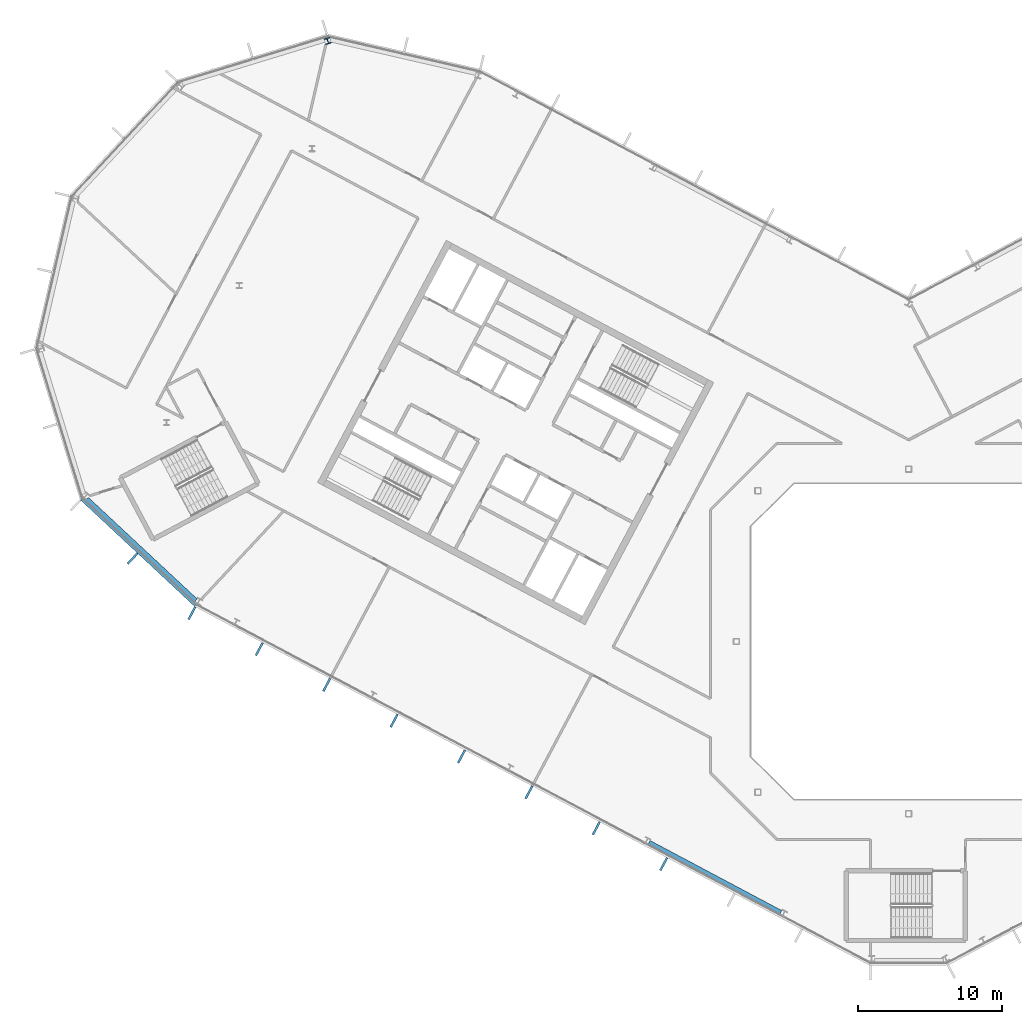
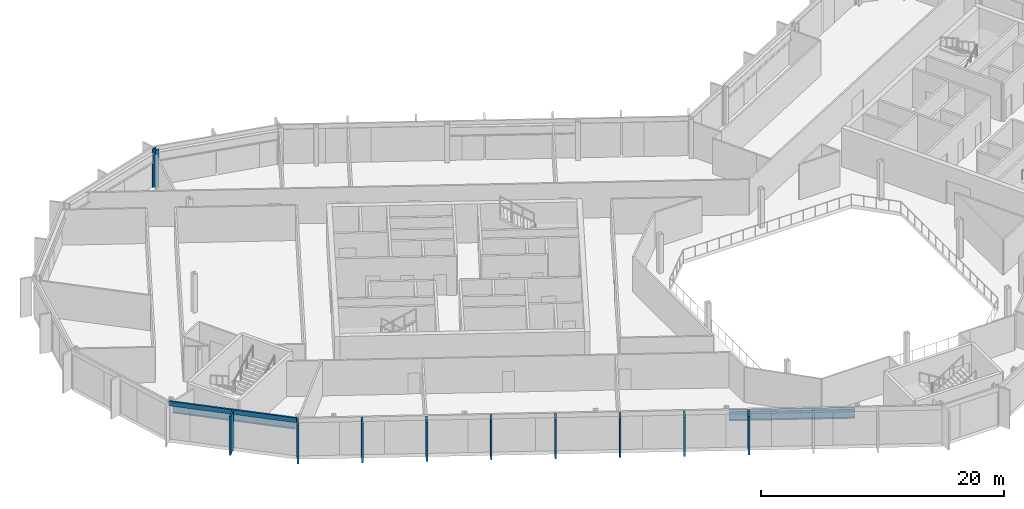
# One storey, part 8 of 26: 10 members, 2 beams, 1 column, 2 elements without a shape of their own.
"""IFC4 building model written with IfcOpenShell, lengths in metres."""

from ifc_helpers import new_model, si_unit, direction, frame, origin, origin_2d, place, context, subcontext, project, spatial, rectangle, i_section, extrude, material, layer, layer_set, material_profile, profile_set, type_object, element, aggregate, save


model = new_model("IFC4")

# Units and contexts
model_context = context("Model", 3, precision=1e-05, world=origin(), true_north=direction((0.0, 1.0)))
body_context = subcontext(model_context, "Body", "Model", "MODEL_VIEW")
ifc_project = project(units=[si_unit("LENGTHUNIT", "METRE"), si_unit("AREAUNIT", "SQUARE_METRE"), si_unit("VOLUMEUNIT", "CUBIC_METRE"), si_unit("PLANEANGLEUNIT", "RADIAN"), si_unit("MASSUNIT", "GRAM", prefix="KILO")], contexts=[model_context])

# Site, building, storey
site_placement = place(None, origin())
site = spatial("IfcSite", under=ifc_project, at=site_placement, CompositionType="ELEMENT")
building_placement = place(site_placement, origin())
building = spatial("IfcBuilding", under=site, at=building_placement, Name="Cormorant Relay Tower", CompositionType="ELEMENT")
storey_placement = place(building_placement, frame((0.0, 0.0, 304.800048828125)))
storey = spatial("IfcBuildingStorey", under=building, at=storey_placement, Name="L69", CompositionType="ELEMENT", Elevation=304.800048828125)

# Column
ifc_material_1 = material(Name="Steel ASTM A992 (Fy 345 MPa)", Category="steel")
ifc_material_profile_1 = material_profile(ifc_material_1, i_section(OverallWidth=0.40380859375, OverallDepth=0.406494140625, WebThickness=0.027099609375, FlangeThickness=0.043701171875, FilletRadius=0.01513671875, at=origin_2d()), Name="W360x347")
ifc_profile_set_1 = profile_set([ifc_material_profile_1], Name="Steel ASTM A992 (Fy 345 MPa)")
column_type = type_object("IfcColumnType", Name="Column W360x347", PredefinedType="COLUMN", material=ifc_profile_set_1)
column_placement = place(storey_placement, frame((-40.455078125, 41.823974609375, 0.0), z_axis=(0.0, 0.0, 1.0), x_axis=(-0.956304755963, -0.292371704723, 0.0)))
element("IfcColumn", 1, at=column_placement, inside=storey, type_object=column_type, Name="Column L69-043", PredefinedType="COLUMN", context=body_context, shape_type="SweptSolid", body=[
    extrude(i_section(OverallWidth=0.40380859375, OverallDepth=0.406494140625, WebThickness=0.027099609375, FlangeThickness=0.043701171875, FilletRadius=0.01513671875, at=origin_2d()), origin(), (0.0, 0.0, 1.0), 3.89990234375),
])

# Curtain wall, member
ifc_material_2 = material(Name="Aluminium 6063-T6 anodised bronze", Category="aluminium")
ifc_layer = layer(ifc_material_2, 0.199951171875)
ifc_layer_set = layer_set([ifc_layer], Name="CW1 unitised bronze curtain wall with vertical fins")
curtain_wall_type = type_object("IfcCurtainWallType", Name="CW1 unitised bronze curtain wall with vertical fins", PredefinedType="NOTDEFINED", material=ifc_layer_set)
curtain_wall_1_placement = place(storey_placement, origin())
curtain_wall_1 = element("IfcCurtainWall", 2, at=curtain_wall_1_placement, inside=storey, type_object=curtain_wall_type, Name="CW1 curtain wall 15", PredefinedType="NOTDEFINED")
ifc_material_3 = material(Name="Aluminium 6063-T6 anodised bronze", Category="aluminium")
ifc_material_profile_2 = material_profile(ifc_material_3, rectangle(XDim=0.14990234375, YDim=1.0, at=origin_2d()), Name="AL 150x1000")
ifc_profile_set_2 = profile_set([ifc_material_profile_2], Name="Aluminium 6063-T6 anodised bronze")
member_type_1 = type_object("IfcMemberType", Name="CW1 bronze fin mullion 150 x 1000", PredefinedType="MULLION", material=ifc_profile_set_2)
member_1_placement = place(storey_placement, frame((-54.0439453125, 5.779296875, 0.0), z_axis=(0.0, 0.0, 1.0), x_axis=(0.731353701619, -0.681998360062, 0.0)))
member_1 = element("IfcMember", 3, at=member_1_placement, type_object=member_type_1, Name="CW1 fin 15.2", PredefinedType="MULLION", context=body_context, shape_type="SweptSolid", body=[
    extrude(rectangle(XDim=0.14990234375, YDim=1.0, at=origin_2d()), origin(), (0.0, 0.0, 1.0), 3.89990234375),
])

# Curtain wall, members
curtain_wall_2_placement = place(storey_placement, origin())
curtain_wall_2 = element("IfcCurtainWall", 4, at=curtain_wall_2_placement, inside=storey, type_object=curtain_wall_type, Name="CW1 curtain wall 16", PredefinedType="NOTDEFINED")
member_2_placement = place(storey_placement, frame((-49.920166015625, 1.96630859375, 0.0), z_axis=(0.0, 0.0, 1.0), x_axis=(0.882947592859, -0.469471562786, 0.0)))
member_2 = element("IfcMember", 5, at=member_2_placement, type_object=member_type_1, Name="CW1 fin 16.1", PredefinedType="MULLION", context=body_context, shape_type="SweptSolid", body=[
    extrude(rectangle(XDim=0.14990234375, YDim=1.0, at=origin_2d()), origin(), (0.0, 0.0, 1.0), 3.89990234375),
])
member_3_placement = place(storey_placement, frame((-45.225830078125, -0.52978515625, 0.0), z_axis=(0.0, 0.0, 1.0), x_axis=(0.882947592859, -0.469471562786, 0.0)))
member_3 = element("IfcMember", 6, at=member_3_placement, type_object=member_type_1, Name="CW1 fin 16.2", PredefinedType="MULLION", context=body_context, shape_type="SweptSolid", body=[
    extrude(rectangle(XDim=0.14990234375, YDim=1.0, at=origin_2d()), origin(), (0.0, 0.0, 1.0), 3.89990234375),
])
member_4_placement = place(storey_placement, frame((-40.531494140625, -3.025634765625, 0.0), z_axis=(0.0, 0.0, 1.0), x_axis=(0.882947592859, -0.469471562786, 0.0)))
member_4 = element("IfcMember", 7, at=member_4_placement, type_object=member_type_1, Name="CW1 fin 16.3", PredefinedType="MULLION", context=body_context, shape_type="SweptSolid", body=[
    extrude(rectangle(XDim=0.14990234375, YDim=1.0, at=origin_2d()), origin(), (0.0, 0.0, 1.0), 3.89990234375),
])
member_5_placement = place(storey_placement, frame((-35.83740234375, -5.521728515625, 0.0), z_axis=(0.0, 0.0, 1.0), x_axis=(0.882947592859, -0.469471562786, 0.0)))
member_5 = element("IfcMember", 8, at=member_5_placement, type_object=member_type_1, Name="CW1 fin 16.4", PredefinedType="MULLION", context=body_context, shape_type="SweptSolid", body=[
    extrude(rectangle(XDim=0.14990234375, YDim=1.0, at=origin_2d()), origin(), (0.0, 0.0, 1.0), 3.89990234375),
])
member_6_placement = place(storey_placement, frame((-31.14306640625, -8.017578125, 0.0), z_axis=(0.0, 0.0, 1.0), x_axis=(0.882947592859, -0.469471562786, 0.0)))
member_6 = element("IfcMember", 9, at=member_6_placement, type_object=member_type_1, Name="CW1 fin 16.5", PredefinedType="MULLION", context=body_context, shape_type="SweptSolid", body=[
    extrude(rectangle(XDim=0.14990234375, YDim=1.0, at=origin_2d()), origin(), (0.0, 0.0, 1.0), 3.89990234375),
])
member_7_placement = place(storey_placement, frame((-26.44873046875, -10.513671875, 0.0), z_axis=(0.0, 0.0, 1.0), x_axis=(0.882947592859, -0.469471562786, 0.0)))
member_7 = element("IfcMember", 10, at=member_7_placement, type_object=member_type_1, Name="CW1 fin 16.6", PredefinedType="MULLION", context=body_context, shape_type="SweptSolid", body=[
    extrude(rectangle(XDim=0.14990234375, YDim=1.0, at=origin_2d()), origin(), (0.0, 0.0, 1.0), 3.89990234375),
])
member_8_placement = place(storey_placement, frame((-21.754638671875, -13.009765625, 0.0), z_axis=(0.0, 0.0, 1.0), x_axis=(0.882947592859, -0.469471562786, 0.0)))
member_8 = element("IfcMember", 11, at=member_8_placement, type_object=member_type_1, Name="CW1 fin 16.7", PredefinedType="MULLION", context=body_context, shape_type="SweptSolid", body=[
    extrude(rectangle(XDim=0.14990234375, YDim=1.0, at=origin_2d()), origin(), (0.0, 0.0, 1.0), 3.89990234375),
])
member_9_placement = place(storey_placement, frame((-17.060302734375, -15.505615234375, 0.0), z_axis=(0.0, 0.0, 1.0), x_axis=(0.882947592859, -0.469471562786, 0.0)))
member_9 = element("IfcMember", 12, at=member_9_placement, type_object=member_type_1, Name="CW1 fin 16.8", PredefinedType="MULLION", context=body_context, shape_type="SweptSolid", body=[
    extrude(rectangle(XDim=0.14990234375, YDim=1.0, at=origin_2d()), origin(), (0.0, 0.0, 1.0), 3.89990234375),
])
aggregate(curtain_wall_2, [member_2, member_3, member_4, member_5, member_6, member_7, member_8, member_9])

# Member
ifc_material_4 = material(Name="Aluminium 6063-T6 anodised bronze", Category="aluminium")
ifc_material_profile_3 = material_profile(ifc_material_4, rectangle(XDim=0.159912109375, YDim=0.449951171875, at=origin_2d()), Name="AL 160x450")
ifc_profile_set_3 = profile_set([ifc_material_profile_3], Name="Aluminium 6063-T6 anodised bronze")
member_type_2 = type_object("IfcMemberType", Name="CW1 bronze transom 160 x 450", PredefinedType="USERDEFINED", material=ifc_profile_set_3)
member_10_placement = place(storey_placement, frame((-57.62353515625, 9.91015625, 3.675048828125), z_axis=(0.731358420696, -0.681993299437, 0.0), x_axis=(0.681993299437, 0.731358420696, 0.0)))
member_10 = element("IfcMember", 13, at=member_10_placement, type_object=member_type_2, Name="CW1 transom 15", ObjectType="TRANSOM", PredefinedType="USERDEFINED", context=body_context, shape_type="SweptSolid", body=[
    extrude(rectangle(XDim=0.159912109375, YDim=0.449951171875, at=origin_2d()), origin(), (0.0, 0.0, 1.0), 10.870361328125),
])

aggregate(curtain_wall_1, [member_1, member_10])

# Beams
ifc_material_5 = material(Name="Steel ASTM A992 (Fy 345 MPa)", Category="steel")
ifc_material_profile_4 = material_profile(ifc_material_5, i_section(OverallWidth=0.307373046875, OverallDepth=0.927001953125, WebThickness=0.019287109375, FlangeThickness=0.031982421875, FilletRadius=0.01904296875, at=origin_2d()), Name="W920x289")
ifc_profile_set_4 = profile_set([ifc_material_profile_4], Name="Steel ASTM A992 (Fy 345 MPa)")
beam_type = type_object("IfcBeamType", Name="Spandrel W920x289", PredefinedType="SPANDREL", material=ifc_profile_set_4)
beam_1_placement = place(storey_placement, frame((-57.234619140625, 9.921630859375, 3.076416015625), z_axis=(0.731364191518, -0.681987110849, 0.0), x_axis=(0.681987110849, 0.731364191518, 0.0)))
element("IfcBeam", 14, at=beam_1_placement, inside=storey, type_object=beam_type, Name="Spandrel beam L69-015", PredefinedType="SPANDREL", context=body_context, shape_type="SweptSolid", body=[
    extrude(i_section(OverallWidth=0.307373046875, OverallDepth=0.927001953125, WebThickness=0.019287109375, FlangeThickness=0.031982421875, FilletRadius=0.01904296875, at=origin_2d()), origin(), (0.0, 0.0, 1.0), 10.37841796875),
])
beam_2_placement = place(storey_placement, frame((-18.0869140625, -13.992919921875, 3.076416015625), z_axis=(0.882946088703, -0.469474391681, 0.0), x_axis=(0.469474391681, 0.882946088703, 0.0)))
element("IfcBeam", 15, at=beam_2_placement, inside=storey, type_object=beam_type, Name="Spandrel beam L69-016", PredefinedType="SPANDREL", context=body_context, shape_type="SweptSolid", body=[
    extrude(i_section(OverallWidth=0.307373046875, OverallDepth=0.927001953125, WebThickness=0.019287109375, FlangeThickness=0.031982421875, FilletRadius=0.01904296875, at=origin_2d()), origin(), (0.0, 0.0, 1.0), 10.401611328125),
])

save(model, "model.ifc")
